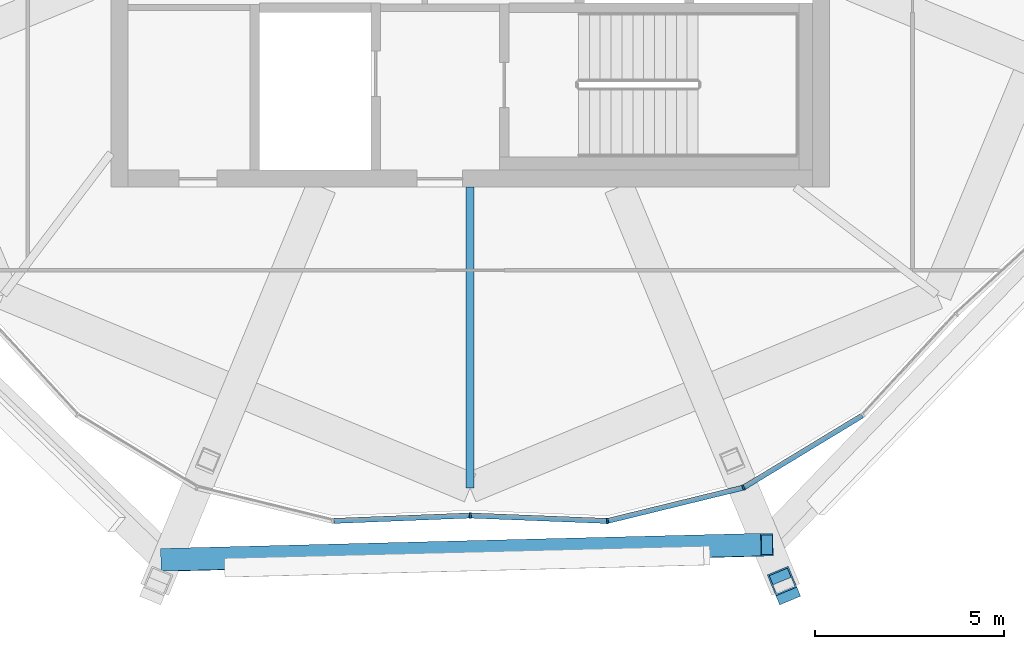
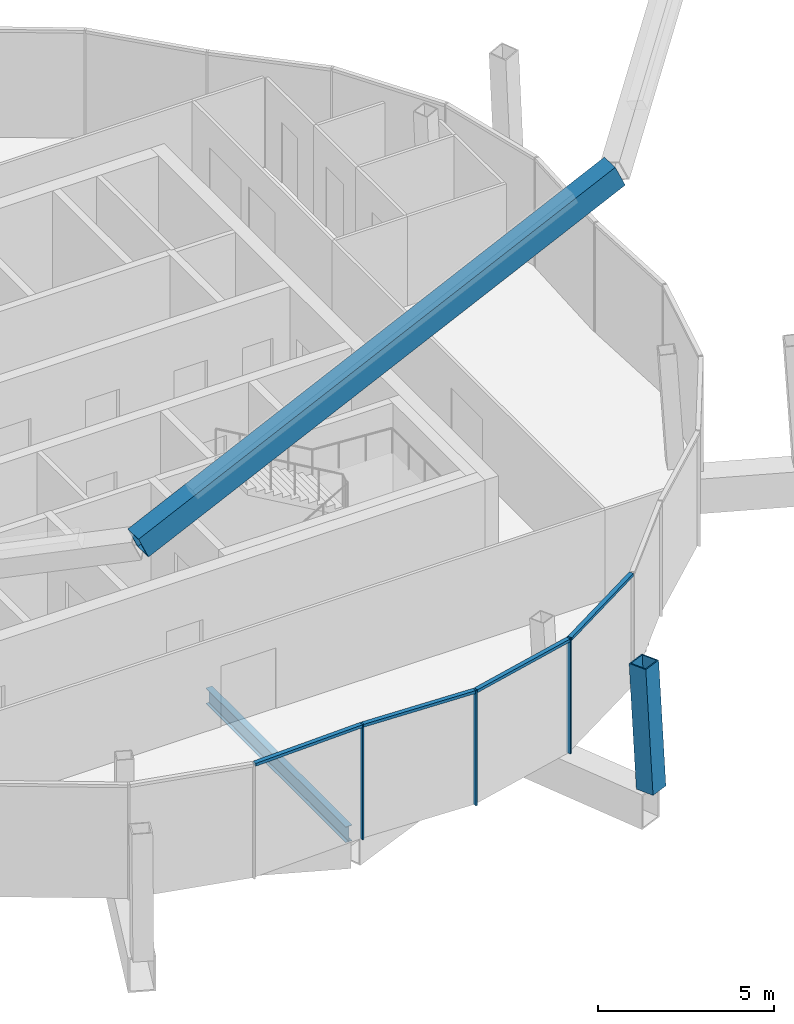
# One storey, part 3 of 34: 8 members, 2 beams, 2 elements without a shape of their own.
"""IFC4 building model written with IfcOpenShell, lengths in metres."""

from ifc_helpers import new_model, si_unit, direction, frame, origin, origin_2d, place, context, subcontext, project, spatial, rectangle, hollow_rectangle, i_section, extrude, material, material_profile, profile_set, type_object, element, aggregate, save


model = new_model("IFC4")

# Units and contexts
model_context = context("Model", 3, precision=1e-05, world=origin(), true_north=direction((0.0, 1.0)))
body_context = subcontext(model_context, "Body", "Model", "MODEL_VIEW")
ifc_project = project(units=[si_unit("LENGTHUNIT", "METRE"), si_unit("AREAUNIT", "SQUARE_METRE"), si_unit("VOLUMEUNIT", "CUBIC_METRE"), si_unit("PLANEANGLEUNIT", "RADIAN"), si_unit("MASSUNIT", "GRAM", prefix="KILO")], contexts=[model_context])

# Site, building, storey
site_placement = place(None, origin())
site = spatial("IfcSite", under=ifc_project, at=site_placement, CompositionType="ELEMENT")
building_placement = place(site_placement, origin())
building = spatial("IfcBuilding", under=site, at=building_placement, Name="Ogive Gate Towers", CompositionType="ELEMENT")
storey_placement = place(building_placement, frame((0.0, 0.0, 294.0)))
storey = spatial("IfcBuildingStorey", under=building, at=storey_placement, Name="L69", CompositionType="ELEMENT", Elevation=294.0)

# Curtain wall, member
ifc_material_1 = material(Name="Pale metal aluminium", Category="aluminium")
curtain_wall_type = type_object("IfcCurtainWallType", Name="Crown lean wall", PredefinedType="NOTDEFINED", material=ifc_material_1)
curtain_wall_1_placement = place(storey_placement, origin())
curtain_wall_1 = element("IfcCurtainWall", 1, at=curtain_wall_1_placement, inside=storey, type_object=curtain_wall_type, Name="CW5 T1 ECW06", PredefinedType="NOTDEFINED")
ifc_material_profile_1 = material_profile(ifc_material_1, rectangle(XDim=0.139892578125, YDim=0.050048828125, at=origin_2d()), Name="50 x 140 aluminium box")
ifc_profile_set_1 = profile_set([ifc_material_profile_1], Name="Pale metal aluminium")
member_type_1 = type_object("IfcMemberType", Name="Crown lean wall mullion 50 x 140", PredefinedType="MULLION", material=ifc_profile_set_1)
member_1_placement = place(storey_placement, frame((-35.998779296875, -18.18505859375, -0.300048828125), z_axis=(0.0, 0.0, 1.0), x_axis=(-0.039608610093, 0.999215271104, 0.0)))
member_1 = element("IfcMember", 2, at=member_1_placement, type_object=member_type_1, Name="CW5 mullion", PredefinedType="MULLION", context=body_context, shape_type="SweptSolid", body=[
    extrude(rectangle(XDim=0.139892578125, YDim=0.050048828125, at=origin_2d()), origin(), (0.0, 0.0, 1.0), 4.0),
])

# Curtain wall, members
curtain_wall_2_placement = place(storey_placement, origin())
curtain_wall_2 = element("IfcCurtainWall", 3, at=curtain_wall_2_placement, inside=storey, type_object=curtain_wall_type, Name="CW5 T1 ECW07", PredefinedType="NOTDEFINED")
member_2_placement = place(storey_placement, frame((-28.772705078125, -17.448486328125, -0.300048828125), z_axis=(0.0, 0.0, 1.0), x_axis=(-0.382683432365, 0.923879532511, 0.0)))
member_2 = element("IfcMember", 4, at=member_2_placement, type_object=member_type_1, Name="CW5 mullion", PredefinedType="MULLION", context=body_context, shape_type="SweptSolid", body=[
    extrude(rectangle(XDim=0.139892578125, YDim=0.050048828125, at=origin_2d()), origin(), (0.0, 0.0, 1.0), 4.0),
])
member_3_placement = place(storey_placement, frame((-32.366943359375, -18.328857421875, -0.300048828125), z_axis=(0.0, 0.0, 1.0), x_axis=(-0.100101233848, 0.99497725752, 0.0)))
member_3 = element("IfcMember", 5, at=member_3_placement, type_object=member_type_1, Name="CW5 mullion", PredefinedType="MULLION", context=body_context, shape_type="SweptSolid", body=[
    extrude(rectangle(XDim=0.139892578125, YDim=0.050048828125, at=origin_2d()), origin(), (0.0, 0.0, 1.0), 4.0),
])

# Member
ifc_material_profile_2 = material_profile(ifc_material_1, rectangle(XDim=0.139892578125, YDim=0.10009765625, at=origin_2d()), Name="100 x 140 aluminium box")
ifc_profile_set_2 = profile_set([ifc_material_profile_2], Name="Pale metal aluminium")
member_type_2 = type_object("IfcMemberType", Name="Crown lean wall transom 100 x 140", PredefinedType="USERDEFINED", material=ifc_profile_set_2)
member_4_placement = place(storey_placement, frame((-36.023681640625, -18.18603515625, 3.64990234375), z_axis=(-0.99921601742, -0.039589778104, 0.0), x_axis=(0.039589778104, -0.99921601742, 0.0)))
member_4 = element("IfcMember", 6, at=member_4_placement, type_object=member_type_2, Name="CW5 transom", ObjectType="TRANSOM", PredefinedType="USERDEFINED", context=body_context, shape_type="SweptSolid", body=[
    extrude(rectangle(XDim=0.139892578125, YDim=0.10009765625, at=origin_2d()), origin(), (0.0, 0.0, 1.0), 3.5830078125),
])

aggregate(curtain_wall_1, [member_1, member_4])

member_5_placement = place(storey_placement, frame((-25.63330078125, -15.544677734375, 3.64990234375), z_axis=(-0.854998787074, -0.518629997302, 0.0), x_axis=(0.518629997302, -0.854998787074, 0.0)))
member_5 = element("IfcMember", 7, at=member_5_placement, type_object=member_type_2, Name="CW5 transom", ObjectType="TRANSOM", PredefinedType="USERDEFINED", context=body_context, shape_type="SweptSolid", body=[
    extrude(rectangle(XDim=0.139892578125, YDim=0.10009765625, at=origin_2d()), origin(), (0.0, 0.0, 1.0), 3.64208984375),
])

member_6_placement = place(storey_placement, frame((-28.80126953125, -17.455810546875, 3.64990234375), z_axis=(-0.971286879925, -0.237911321475, 0.0), x_axis=(0.237911321475, -0.971286879925, 0.0)))
member_6 = element("IfcMember", 8, at=member_6_placement, type_object=member_type_2, Name="CW5 transom", ObjectType="TRANSOM", PredefinedType="USERDEFINED", context=body_context, shape_type="SweptSolid", body=[
    extrude(rectangle(XDim=0.139892578125, YDim=0.10009765625, at=origin_2d()), origin(), (0.0, 0.0, 1.0), 3.641845703125),
])

member_7_placement = place(storey_placement, frame((-32.396240234375, -18.327880859375, 3.64990234375), z_axis=(-0.99921601742, 0.039589778104, 0.0), x_axis=(-0.039589778104, -0.99921601742, 0.0)))
member_7 = element("IfcMember", 9, at=member_7_placement, type_object=member_type_2, Name="CW5 transom", ObjectType="TRANSOM", PredefinedType="USERDEFINED", context=body_context, shape_type="SweptSolid", body=[
    extrude(rectangle(XDim=0.139892578125, YDim=0.10009765625, at=origin_2d()), origin(), (0.0, 0.0, 1.0), 3.5830078125),
])

aggregate(curtain_wall_2, [member_2, member_5, member_3, member_6, member_7])

ifc_material_2 = material(Name="Steel SM460", Category="steel")
ifc_material_profile_3 = material_profile(ifc_material_2, hollow_rectangle(XDim=0.60009765625, YDim=0.60009765625, WallThickness=0.0400390625, at=origin_2d()), Name="BX 600x600x40")
ifc_profile_set_3 = profile_set([ifc_material_profile_3], Name="Steel SM460")
member_type_3 = type_object("IfcMemberType", Name="Crown rib BX 600x600x40", PredefinedType="MEMBER", material=ifc_profile_set_3)
member_8_placement = place(storey_placement, frame((-27.649658203125, -20.159423828125, -0.25), z_axis=(-0.023393742281, 0.056420201971, 0.998133003979), x_axis=(-0.923742113572, -0.3830150227, 0.0)))
element("IfcMember", 10, at=member_8_placement, inside=storey, type_object=member_type_3, Name="T1/L69/STR007", PredefinedType="MEMBER", context=body_context, shape_type="SweptSolid", body=[
    extrude(hollow_rectangle(XDim=0.60009765625, YDim=0.60009765625, WallThickness=0.0400390625, at=origin_2d()), origin(), (0.0, 0.0, 1.0), 4.258056640625),
])

# Beams
ifc_material_profile_4 = material_profile(ifc_material_2, hollow_rectangle(XDim=0.60009765625, YDim=0.800048828125, WallThickness=0.0400390625, at=origin_2d()), Name="BX 800x600x40")
ifc_profile_set_4 = profile_set([ifc_material_profile_4], Name="Steel SM460")
beam_type_1 = type_object("IfcBeamType", Name="Crown ring beam BX 800x600x40", PredefinedType="BEAM", material=ifc_profile_set_4)
beam_1_placement = place(storey_placement, frame((-44.018798828125, -19.359130859375, 13.474365234375), z_axis=(0.912575002442, 0.023077932348, 0.408257607347), x_axis=(0.021067526414, -0.999733669046, 0.009420738138)))
element("IfcBeam", 11, at=beam_1_placement, inside=storey, type_object=beam_type_1, Name="T1/L69/SBM006", PredefinedType="BEAM", context=body_context, shape_type="SweptSolid", body=[
    extrude(hollow_rectangle(XDim=0.60009765625, YDim=0.800048828125, WallThickness=0.0400390625, at=origin_2d()), origin(), (0.0, 0.0, 1.0), 17.391845703125),
])
ifc_material_3 = material(Name="Steel SM355", Category="steel")
ifc_material_profile_5 = material_profile(ifc_material_3, i_section(OverallWidth=0.2099609375, OverallDepth=0.550048828125, WebThickness=0.010986328125, FlangeThickness=0.01708984375, FilletRadius=0.02392578125, at=origin_2d()), Name="IPE 550")
ifc_profile_set_5 = profile_set([ifc_material_profile_5], Name="Steel SM355")
beam_type_2 = type_object("IfcBeamType", Name="Radial floor beam IPE 550", PredefinedType="BEAM", material=ifc_profile_set_5)
beam_2_placement = place(storey_placement, frame((-36.0, -9.5, -0.574951171875), z_axis=(0.0, -1.0, 0.0), x_axis=(1.0, 0.0, 0.0)))
element("IfcBeam", 12, at=beam_2_placement, inside=storey, type_object=beam_type_2, Name="T1/L69/SBM011", PredefinedType="BEAM", context=body_context, shape_type="SweptSolid", body=[
    extrude(i_section(OverallWidth=0.2099609375, OverallDepth=0.550048828125, WebThickness=0.010986328125, FlangeThickness=0.01708984375, FilletRadius=0.02392578125, at=origin_2d()), origin(), (0.0, 0.0, 1.0), 7.955078125),
])

save(model, "model.ifc")
